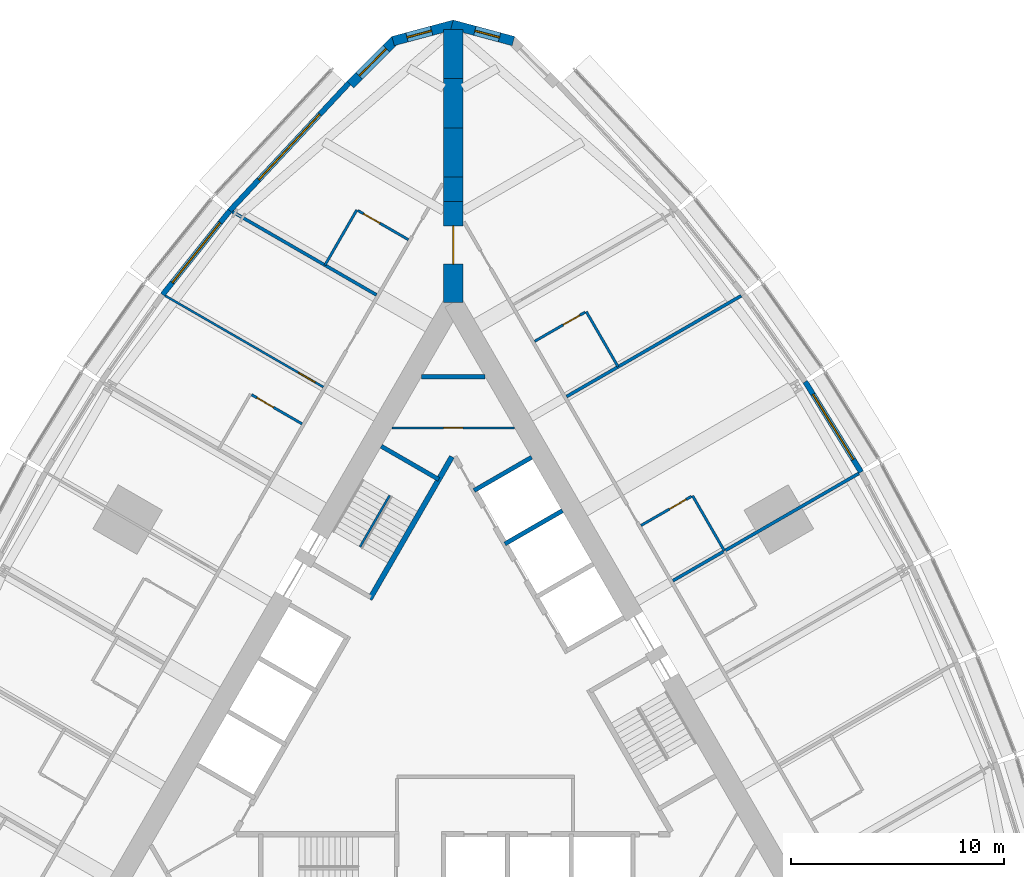
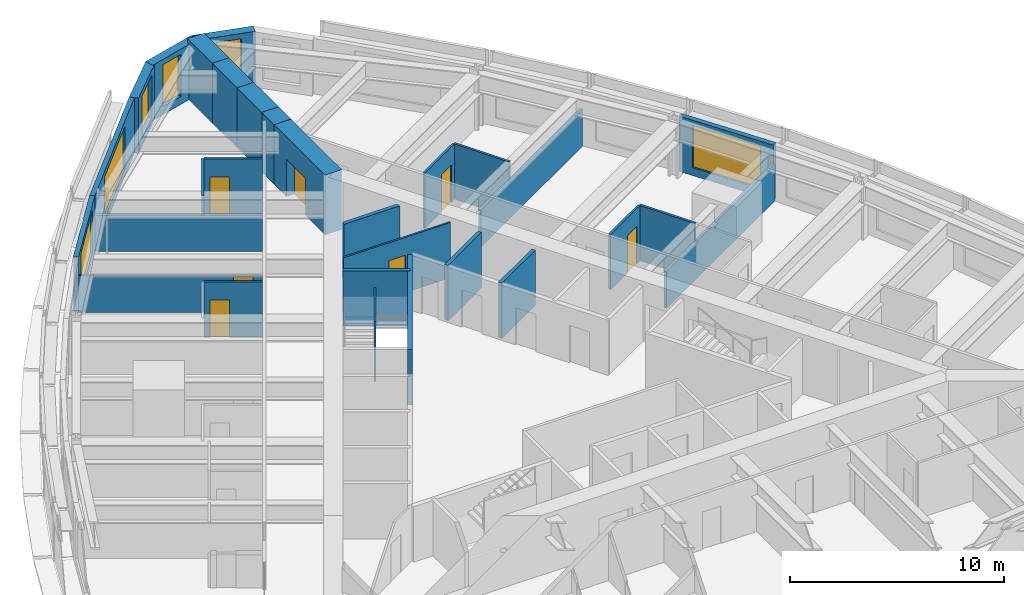
# One storey, part 12 of 14: 29 walls, 7 doors, 6 windows, 13 openings.
"""IFC4 building model written with IfcOpenShell, lengths in metres."""

from ifc_helpers import new_model, si_unit, direction, frame, frame_2d, origin, place, context, subcontext, project, spatial, polyline, rectangle, outline, extrude, material, layer, layer_set, type_object, element, fill, save


model = new_model("IFC4")

# Units and contexts
model_context = context("Model", 3, precision=1e-05, world=origin(), true_north=direction((0.0, 1.0)))
body_context = subcontext(model_context, "Body", "Model", "MODEL_VIEW")
ifc_project = project(units=[si_unit("LENGTHUNIT", "METRE"), si_unit("AREAUNIT", "SQUARE_METRE"), si_unit("VOLUMEUNIT", "CUBIC_METRE"), si_unit("PLANEANGLEUNIT", "RADIAN"), si_unit("MASSUNIT", "GRAM", prefix="KILO")], contexts=[model_context])

# Site, building, storey
site_placement = place(None, origin())
site = spatial("IfcSite", under=ifc_project, at=site_placement, CompositionType="ELEMENT")
building_placement = place(site_placement, origin())
building = spatial("IfcBuilding", under=site, at=building_placement, Name="Trikona Tower", CompositionType="ELEMENT")
storey_placement = place(building_placement, frame((0.0, 0.0, 99.89990234375)))
storey = spatial("IfcBuildingStorey", under=building, at=storey_placement, Name="L26", CompositionType="ELEMENT", Elevation=99.89990234375)

# Wall
ifc_material_1 = material(Name="Metal stud and cement board", Category="gypsum")
ifc_layer_1 = layer(ifc_material_1, 0.1201171875)
ifc_layer_set_1 = layer_set([ifc_layer_1], Name="Bathroom wall 120")
wall_type_1 = type_object("IfcWallType", Name="Bathroom wall 120", PredefinedType="PLUMBINGWALL", material=ifc_layer_set_1)
wall_1_placement = place(storey_placement, frame((12.75341796875, 7.363037109375, 0.0), z_axis=(0.0, 0.0, 1.0), x_axis=(-0.499990139034, 0.866031096941, 0.0)))
element("IfcWall", 1, at=wall_1_placement, inside=storey, type_object=wall_type_1, Name="Bathroom wall 2607", PredefinedType="PLUMBINGWALL", context=body_context, shape_type="SweptSolid", body=[
    extrude(rectangle(XDim=3.0, YDim=0.1201171875, at=frame_2d((1.5, 0.0))), origin(), (0.0, 0.0, 1.0), 3.150146484375),
])

# Wall, opening, door
wall_2_placement = place(storey_placement, frame((8.82861328125, 8.561279296875, 0.0), z_axis=(0.0, 0.0, 1.0), x_axis=(0.866035715982, 0.499982138324, 0.0)))
wall_2 = element("IfcWall", 2, at=wall_2_placement, inside=storey, type_object=wall_type_1, Name="Bathroom wall 2607", PredefinedType="PLUMBINGWALL", context=body_context, shape_type="SweptSolid", body=[
    extrude(rectangle(XDim=2.73974609375, YDim=0.1201171875, at=frame_2d((1.369873046875, 0.0))), origin(), (0.0, 0.0, 1.0), 3.150146484375),
])
opening_1_placement = place(wall_2_placement, frame((1.550048828125, 0.0, 0.0)))
opening_1 = element("IfcOpeningElement", 3, at=opening_1_placement, cuts=wall_2, Name="Opening D2", PredefinedType="OPENING", context=body_context, shape_type="SweptSolid", body=[
    extrude(rectangle(XDim=0.89990234375, YDim=2.1298828125, at=frame_2d((0.449951171875, 1.06494140625))), frame((0.0, 0.070068359375, 0.0), z_axis=(0.0, -1.0, 0.0), x_axis=(1.0, 0.0, 0.0)), (0.0, 0.0, 1.0), 0.14013671875),
])
ifc_material_2 = material(Name="Steel door frame with solid-core timber leaf", Category="steel")
door_type_1 = type_object("IfcDoorType", Name="Bathroom door 900x2130", OperationType="SLIDING_TO_LEFT", PredefinedType="DOOR", material=ifc_material_2)
door_1_placement = place(opening_1_placement, origin())
door_1 = element("IfcDoor", 4, at=door_1_placement, inside=storey, type_object=door_type_1, Name="Bathroom door 2607", OperationType="SLIDING_TO_LEFT", OverallHeight=2.1298828125, OverallWidth=0.89990234375, PredefinedType="DOOR", context=body_context, shape_type="SweptSolid", body=[
    extrude(rectangle(XDim=0.89990234375, YDim=2.1298828125, at=frame_2d((0.449951171875, 1.06494140625))), frame((0.0, 0.02490234375, 0.0), z_axis=(0.0, -1.0, 0.0), x_axis=(1.0, 0.0, 0.0)), (0.0, 0.0, 1.0), 0.050048828125),
])
fill(opening_1, door_1)

# Wall
wall_3_placement = place(storey_placement, frame((7.75341796875, 16.0234375, 0.0), z_axis=(0.0, 0.0, 1.0), x_axis=(-0.499990139034, 0.866031096941, 0.0)))
element("IfcWall", 5, at=wall_3_placement, inside=storey, type_object=wall_type_1, Name="Bathroom wall 2608.1", PredefinedType="PLUMBINGWALL", context=body_context, shape_type="SweptSolid", body=[
    extrude(rectangle(XDim=3.0, YDim=0.1201171875, at=frame_2d((1.5, 0.0))), origin(), (0.0, 0.0, 1.0), 3.150146484375),
])

# Wall, opening, door
wall_4_placement = place(storey_placement, frame((3.82861328125, 17.221435546875, 0.0), z_axis=(0.0, 0.0, 1.0), x_axis=(0.865997131366, 0.500048966069, 0.0)))
wall_4 = element("IfcWall", 6, at=wall_4_placement, inside=storey, type_object=wall_type_1, Name="Bathroom wall 2608.1", PredefinedType="PLUMBINGWALL", context=body_context, shape_type="SweptSolid", body=[
    extrude(rectangle(XDim=2.739990234375, YDim=0.1201171875, at=frame_2d((1.3701171875, 0.0))), origin(), (0.0, 0.0, 1.0), 3.150146484375),
])
opening_2_placement = place(wall_4_placement, frame((1.550048828125, 0.0, 0.0)))
opening_2 = element("IfcOpeningElement", 7, at=opening_2_placement, cuts=wall_4, Name="Opening D2", PredefinedType="OPENING", context=body_context, shape_type="SweptSolid", body=[
    extrude(rectangle(XDim=0.89990234375, YDim=2.1298828125, at=frame_2d((0.449951171875, 1.06494140625))), frame((0.0, 0.070068359375, 0.0), z_axis=(0.0, -1.0, 0.0), x_axis=(1.0, 0.0, 0.0)), (0.0, 0.0, 1.0), 0.14013671875),
])
door_2_placement = place(opening_2_placement, origin())
door_2 = element("IfcDoor", 8, at=door_2_placement, inside=storey, type_object=door_type_1, Name="Bathroom door 2608.1", OperationType="SLIDING_TO_LEFT", OverallHeight=2.1298828125, OverallWidth=0.89990234375, PredefinedType="DOOR", context=body_context, shape_type="SweptSolid", body=[
    extrude(rectangle(XDim=0.89990234375, YDim=2.1298828125, at=frame_2d((0.449951171875, 1.06494140625))), frame((0.0, 0.02490234375, 0.0), z_axis=(0.0, -1.0, 0.0), x_axis=(1.0, 0.0, 0.0)), (0.0, 0.0, 1.0), 0.050048828125),
])
fill(opening_2, door_2)

# Wall
wall_5_placement = place(storey_placement, frame((-4.53271484375, 23.401611328125, 0.0), z_axis=(0.0, 0.0, 1.0), x_axis=(-0.499990139034, -0.866031096941, 0.0)))
element("IfcWall", 9, at=wall_5_placement, inside=storey, type_object=wall_type_1, Name="Bathroom wall 2609", PredefinedType="PLUMBINGWALL", context=body_context, shape_type="SweptSolid", body=[
    extrude(rectangle(XDim=3.0, YDim=0.1201171875, at=frame_2d((1.5, 0.0))), origin(), (0.0, 0.0, 1.0), 3.150146484375),
])

# Wall, opening, door
wall_6_placement = place(storey_placement, frame((-2.10791015625, 22.001708984375, 0.0), z_axis=(0.0, 0.0, 1.0), x_axis=(-0.866035715982, 0.499982138324, 0.0)))
wall_6 = element("IfcWall", 10, at=wall_6_placement, inside=storey, type_object=wall_type_1, Name="Bathroom wall 2609", PredefinedType="PLUMBINGWALL", context=body_context, shape_type="SweptSolid", body=[
    extrude(rectangle(XDim=2.73974609375, YDim=0.1201171875, at=frame_2d((1.369873046875, 0.0))), origin(), (0.0, 0.0, 1.0), 3.150146484375),
])
opening_3_placement = place(wall_6_placement, frame((1.550048828125, 0.0, 0.0)))
opening_3 = element("IfcOpeningElement", 11, at=opening_3_placement, cuts=wall_6, Name="Opening D2", PredefinedType="OPENING", context=body_context, shape_type="SweptSolid", body=[
    extrude(rectangle(XDim=0.89990234375, YDim=2.1298828125, at=frame_2d((0.449951171875, 1.06494140625))), frame((0.0, 0.070068359375, 0.0), z_axis=(0.0, -1.0, 0.0), x_axis=(1.0, 0.0, 0.0)), (0.0, 0.0, 1.0), 0.14013671875),
])
door_3_placement = place(opening_3_placement, origin())
door_3 = element("IfcDoor", 12, at=door_3_placement, inside=storey, type_object=door_type_1, Name="Bathroom door 2609", OperationType="SLIDING_TO_LEFT", OverallHeight=2.1298828125, OverallWidth=0.89990234375, PredefinedType="DOOR", context=body_context, shape_type="SweptSolid", body=[
    extrude(rectangle(XDim=0.89990234375, YDim=2.1298828125, at=frame_2d((0.449951171875, 1.06494140625))), frame((0.0, 0.02490234375, 0.0), z_axis=(0.0, -1.0, 0.0), x_axis=(1.0, 0.0, 0.0)), (0.0, 0.0, 1.0), 0.050048828125),
])
fill(opening_3, door_3)

wall_7_placement = place(storey_placement, frame((-7.10791015625, 13.34130859375, 0.0), z_axis=(0.0, 0.0, 1.0), x_axis=(-0.866035715982, 0.499982138324, 0.0)))
wall_7 = element("IfcWall", 13, at=wall_7_placement, inside=storey, type_object=wall_type_1, Name="Bathroom wall 2610.1", PredefinedType="PLUMBINGWALL", context=body_context, shape_type="SweptSolid", body=[
    extrude(rectangle(XDim=2.73974609375, YDim=0.1201171875, at=frame_2d((1.369873046875, 0.0))), origin(), (0.0, 0.0, 1.0), 3.150146484375),
])
opening_4_placement = place(wall_7_placement, frame((1.550048828125, 0.0, 0.0)))
opening_4 = element("IfcOpeningElement", 14, at=opening_4_placement, cuts=wall_7, Name="Opening D2", PredefinedType="OPENING", context=body_context, shape_type="SweptSolid", body=[
    extrude(rectangle(XDim=0.89990234375, YDim=2.1298828125, at=frame_2d((0.449951171875, 1.06494140625))), frame((0.0, 0.070068359375, 0.0), z_axis=(0.0, -1.0, 0.0), x_axis=(1.0, 0.0, 0.0)), (0.0, 0.0, 1.0), 0.14013671875),
])
door_4_placement = place(opening_4_placement, origin())
door_4 = element("IfcDoor", 15, at=door_4_placement, inside=storey, type_object=door_type_1, Name="Bathroom door 2610.1", OperationType="SLIDING_TO_LEFT", OverallHeight=2.1298828125, OverallWidth=0.89990234375, PredefinedType="DOOR", context=body_context, shape_type="SweptSolid", body=[
    extrude(rectangle(XDim=0.89990234375, YDim=2.1298828125, at=frame_2d((0.449951171875, 1.06494140625))), frame((0.0, 0.02490234375, 0.0), z_axis=(0.0, -1.0, 0.0), x_axis=(1.0, 0.0, 0.0)), (0.0, 0.0, 1.0), 0.050048828125),
])
fill(opening_4, door_4)

# Wall, opening, window
ifc_material_3 = material(Name="Brick-faced precast concrete", Category="masonry")
ifc_layer_2 = layer(ifc_material_3, 0.449951171875)
ifc_layer_set_2 = layer_set([ifc_layer_2], Name="Brick-faced corner wall 450")
wall_type_2 = type_object("IfcWallType", Name="Brick-faced corner wall 450", PredefinedType="SOLIDWALL", material=ifc_layer_set_2)
wall_8_placement = place(storey_placement, frame((2.82861328125, 31.3408203125, 0.0), z_axis=(0.0, 0.0, 1.0), x_axis=(-0.965930548995, 0.258801419081, 0.0)))
wall_8 = element("IfcWall", 16, at=wall_8_placement, inside=storey, type_object=wall_type_2, Name="External wall L26-21", PredefinedType="SOLIDWALL", context=body_context, shape_type="SweptSolid", body=[
    extrude(outline(polyline([(2.988525390625, 0.22509765625), (2.92919921875, 0.22509765625), (2.4375, 0.09326171875), (2.40234375, 0.22509765625), (0.0, 0.22509765625), (0.0, -0.22509765625), (2.988525390625, -0.22509765625), (2.988525390625, 0.22509765625)])), origin(), (0.0, 0.0, 1.0), 3.150146484375),
])
opening_5_placement = place(wall_8_placement, frame((0.676025390625, 0.0, 0.449951171875)))
opening_5 = element("IfcOpeningElement", 17, at=opening_5_placement, cuts=wall_8, Name="Opening W1224", PredefinedType="OPENING", context=body_context, shape_type="SweptSolid", body=[
    extrude(rectangle(XDim=1.199951171875, YDim=2.39990234375, at=frame_2d((0.60009765625, 1.199951171875))), frame((0.0, 0.23486328125, 0.0), z_axis=(0.0, -1.0, 0.0), x_axis=(1.0, 0.0, 0.0)), (0.0, 0.0, 1.0), 0.469970703125),
])
ifc_material_4 = material(Name="Aluminium-framed double glazing", Category="aluminium")
window_type_1 = type_object("IfcWindowType", Name="Window 1200x2400", PartitioningType="SINGLE_PANEL", PredefinedType="WINDOW", material=ifc_material_4)
window_1_placement = place(opening_5_placement, origin())
window_1 = element("IfcWindow", 18, at=window_1_placement, inside=storey, type_object=window_type_1, Name="Window 2608", OverallHeight=2.39990234375, OverallWidth=1.199951171875, PartitioningType="SINGLE_PANEL", PredefinedType="WINDOW", context=body_context, shape_type="SweptSolid", body=[
    extrude(rectangle(XDim=1.199951171875, YDim=2.39990234375, at=frame_2d((0.60009765625, 1.199951171875))), frame((0.0, 0.030029296875, 0.0), z_axis=(0.0, -1.0, 0.0), x_axis=(1.0, 0.0, 0.0)), (0.0, 0.0, 1.0), 0.06005859375),
])
fill(opening_5, window_1)

wall_9_placement = place(storey_placement, frame((0.05810546875, 32.1142578125, 0.0), z_axis=(0.0, 0.0, 1.0), x_axis=(-0.965930548995, -0.258801419081, 0.0)))
wall_9 = element("IfcWall", 19, at=wall_9_placement, inside=storey, type_object=wall_type_2, Name="External wall L26-22", PredefinedType="SOLIDWALL", context=body_context, shape_type="SweptSolid", body=[
    extrude(outline(polyline([(2.988525390625, 0.22509765625), (0.58642578125, 0.22509765625), (0.551025390625, 0.09326171875), (0.059326171875, 0.22509765625), (0.0, 0.22509765625), (0.0, -0.22509765625), (2.988525390625, -0.22509765625), (2.988525390625, 0.22509765625)])), origin(), (0.0, 0.0, 1.0), 3.150146484375),
])
opening_6_placement = place(wall_9_placement, frame((1.112548828125, 0.0, 0.449951171875)))
opening_6 = element("IfcOpeningElement", 20, at=opening_6_placement, cuts=wall_9, Name="Opening W1224", PredefinedType="OPENING", context=body_context, shape_type="SweptSolid", body=[
    extrude(rectangle(XDim=1.199951171875, YDim=2.39990234375, at=frame_2d((0.60009765625, 1.199951171875))), frame((0.0, 0.23486328125, 0.0), z_axis=(0.0, -1.0, 0.0), x_axis=(1.0, 0.0, 0.0)), (0.0, 0.0, 1.0), 0.469970703125),
])
window_2_placement = place(opening_6_placement, origin())
window_2 = element("IfcWindow", 21, at=window_2_placement, inside=storey, type_object=window_type_1, Name="Window 2609", OverallHeight=2.39990234375, OverallWidth=1.199951171875, PartitioningType="SINGLE_PANEL", PredefinedType="WINDOW", context=body_context, shape_type="SweptSolid", body=[
    extrude(rectangle(XDim=1.199951171875, YDim=2.39990234375, at=frame_2d((0.60009765625, 1.199951171875))), frame((0.0, 0.030029296875, 0.0), z_axis=(0.0, -1.0, 0.0), x_axis=(1.0, 0.0, 0.0)), (0.0, 0.0, 1.0), 0.06005859375),
])
fill(opening_6, window_2)

wall_10_placement = place(storey_placement, frame((-2.727783203125, 31.39892578125, 0.0), z_axis=(0.0, 0.0, 1.0), x_axis=(-0.707106781187, -0.707106781187, 0.0)))
wall_10 = element("IfcWall", 22, at=wall_10_placement, inside=storey, type_object=wall_type_2, Name="External wall L26-23", PredefinedType="SOLIDWALL", context=body_context, shape_type="SweptSolid", body=[
    extrude(rectangle(XDim=2.98828125, YDim=0.449951171875, at=frame_2d((1.494140625, 0.0))), origin(), (0.0, 0.0, 1.0), 3.150146484375),
])
opening_7_placement = place(wall_10_placement, frame((0.59423828125, 0.0, 0.449951171875)))
opening_7 = element("IfcOpeningElement", 23, at=opening_7_placement, cuts=wall_10, Name="Opening W1824", PredefinedType="OPENING", context=body_context, shape_type="SweptSolid", body=[
    extrude(rectangle(XDim=1.800048828125, YDim=2.39990234375, at=frame_2d((0.89990234375, 1.199951171875))), frame((0.0, 0.23486328125, 0.0), z_axis=(0.0, -1.0, 0.0), x_axis=(1.0, 0.0, 0.0)), (0.0, 0.0, 1.0), 0.469970703125),
])
ifc_material_5 = material(Name="Aluminium-framed double glazing", Category="aluminium")
window_type_2 = type_object("IfcWindowType", Name="Window 1800x2400", PartitioningType="SINGLE_PANEL", PredefinedType="WINDOW", material=ifc_material_5)
window_3_placement = place(opening_7_placement, origin())
window_3 = element("IfcWindow", 24, at=window_3_placement, inside=storey, type_object=window_type_2, Name="Window 2609", OverallHeight=2.39990234375, OverallWidth=1.800048828125, PartitioningType="SINGLE_PANEL", PredefinedType="WINDOW", context=body_context, shape_type="SweptSolid", body=[
    extrude(rectangle(XDim=1.800048828125, YDim=2.39990234375, at=frame_2d((0.89990234375, 1.199951171875))), frame((0.0, 0.030029296875, 0.0), z_axis=(0.0, -1.0, 0.0), x_axis=(1.0, 0.0, 0.0)), (0.0, 0.0, 1.0), 0.06005859375),
])
fill(opening_7, window_3)

# Wall, opening, door
ifc_material_6 = material(Name="Concrete f'c 10000 psi", Category="concrete")
ifc_layer_3 = layer(ifc_material_6, 0.89990234375)
ifc_layer_set_3 = layer_set([ifc_layer_3], Name="Buttress wall 900")
wall_type_3 = type_object("IfcWallType", Name="Buttress wall 900", PredefinedType="SHEAR", material=ifc_layer_set_3)
wall_11_placement = place(storey_placement, frame((0.0, 19.052490234375, 0.0), z_axis=(0.0, 0.0, 1.0), x_axis=(0.0, 1.0, 0.0)))
wall_11 = element("IfcWall", 25, at=wall_11_placement, inside=storey, type_object=wall_type_3, Name="Buttress wall 2", PredefinedType="SHEAR", context=body_context, shape_type="SweptSolid", body=[
    extrude(rectangle(XDim=4.74609375, YDim=0.89990234375, at=frame_2d((2.373046875, 0.0))), origin(), (0.0, 0.0, 1.0), 3.400146484375),
])
opening_8_placement = place(wall_11_placement, frame((1.800048828125, 0.0, 0.0)))
opening_8 = element("IfcOpeningElement", 26, at=opening_8_placement, cuts=wall_11, Name="Opening D10", PredefinedType="OPENING", context=body_context, shape_type="SweptSolid", body=[
    extrude(rectangle(XDim=1.800048828125, YDim=2.1298828125, at=frame_2d((0.89990234375, 1.06494140625))), frame((0.0, 0.4599609375, 0.0), z_axis=(0.0, -1.0, 0.0), x_axis=(1.0, 0.0, 0.0)), (0.0, 0.0, 1.0), 0.919921875),
])
ifc_material_7 = material(Name="Hollow metal door and frame", Category="steel")
door_type_2 = type_object("IfcDoorType", Name="Cross-corridor door pair 1800x2130", OperationType="DOUBLE_DOOR_DOUBLE_SWING", PredefinedType="DOOR", material=ifc_material_7)
door_5_placement = place(opening_8_placement, origin())
door_5 = element("IfcDoor", 27, at=door_5_placement, inside=storey, type_object=door_type_2, Name="Cross-corridor door 2", OperationType="DOUBLE_DOOR_DOUBLE_SWING", OverallHeight=2.1298828125, OverallWidth=1.800048828125, PredefinedType="DOOR", context=body_context, shape_type="SweptSolid", body=[
    extrude(rectangle(XDim=1.800048828125, YDim=2.1298828125, at=frame_2d((0.89990234375, 1.06494140625))), frame((0.0, 0.02490234375, 0.0), z_axis=(0.0, -1.0, 0.0), x_axis=(1.0, 0.0, 0.0)), (0.0, 0.0, 1.0), 0.050048828125),
])
fill(opening_8, door_5)

# Walls
wall_12_placement = place(storey_placement, frame((0.0, 23.798583984375, 0.0), z_axis=(0.0, 0.0, 1.0), x_axis=(0.0, 1.0, 0.0)))
element("IfcWall", 28, at=wall_12_placement, inside=storey, type_object=wall_type_3, Name="Buttress wall 2 part 2", PredefinedType="SHEAR", context=body_context, shape_type="SweptSolid", body=[
    extrude(rectangle(XDim=1.15478515625, YDim=0.89990234375, at=frame_2d((0.577392578125, 0.0))), origin(), (0.0, 0.0, 1.0), 3.400146484375),
])
wall_13_placement = place(storey_placement, frame((0.0, 24.953369140625, 0.0), z_axis=(0.0, 0.0, 1.0), x_axis=(0.0, 1.0, 0.0)))
element("IfcWall", 29, at=wall_13_placement, inside=storey, type_object=wall_type_3, Name="Buttress wall 2 part 3", PredefinedType="SHEAR", context=body_context, shape_type="SweptSolid", body=[
    extrude(rectangle(XDim=2.309326171875, YDim=0.89990234375, at=frame_2d((1.15478515625, 0.0))), origin(), (0.0, 0.0, 1.0), 3.400146484375),
])
wall_14_placement = place(storey_placement, frame((0.0, 27.2626953125, 0.0), z_axis=(0.0, 0.0, 1.0), x_axis=(0.0, 1.0, 0.0)))
element("IfcWall", 30, at=wall_14_placement, inside=storey, type_object=wall_type_3, Name="Buttress wall 2 part 4", PredefinedType="SHEAR", context=body_context, shape_type="SweptSolid", body=[
    extrude(rectangle(XDim=2.3095703125, YDim=0.89990234375, at=frame_2d((1.15478515625, 0.0))), origin(), (0.0, 0.0, 1.0), 3.400146484375),
])
wall_15_placement = place(storey_placement, frame((0.0, 29.572265625, 0.0), z_axis=(0.0, 0.0, 1.0), x_axis=(0.0, 1.0, 0.0)))
element("IfcWall", 31, at=wall_15_placement, inside=storey, type_object=wall_type_3, Name="Buttress wall 2 part 5", PredefinedType="SHEAR", context=body_context, shape_type="SweptSolid", body=[
    extrude(rectangle(XDim=2.309326171875, YDim=0.89990234375, at=frame_2d((1.15478515625, 0.0))), origin(), (0.0, 0.0, 1.0), 3.400146484375),
])
ifc_material_8 = material(Name="Concrete f'c 8000 psi", Category="concrete")
ifc_layer_4 = layer(ifc_material_8, 0.25)
ifc_layer_set_4 = layer_set([ifc_layer_4], Name="Hub wall 250")
wall_type_4 = type_object("IfcWallType", Name="Hub wall 250", PredefinedType="SOLIDWALL", material=ifc_layer_set_4)
wall_16_placement = place(storey_placement, frame((-0.0625, 11.794189453125, 0.0), z_axis=(0.0, 0.0, 1.0), x_axis=(-0.500006680225, -0.86602154692, 0.0)))
element("IfcWall", 32, at=wall_16_placement, inside=storey, type_object=wall_type_4, Name="Lift lobby wall C1", PredefinedType="SOLIDWALL", context=body_context, shape_type="SweptSolid", body=[
    extrude(rectangle(XDim=7.73291015625, YDim=0.25, at=frame_2d((3.866455078125, 0.0))), origin(), (0.0, 0.0, 1.0), 3.150146484375),
])

# Wall, opening, window
ifc_material_9 = material(Name="Insulated precast concrete spandrel panel", Category="concrete")
ifc_layer_5 = layer(ifc_material_9, 0.25)
ifc_layer_set_5 = layer_set([ifc_layer_5], Name="Inner skin wall 250")
wall_type_5 = type_object("IfcWallType", Name="Inner skin wall 250", PredefinedType="STANDARD", material=ifc_layer_set_5)
wall_17_placement = place(storey_placement, frame((19.182373046875, 11.070556640625, 0.0), z_axis=(0.0, 0.0, 1.0), x_axis=(-0.526132807704, 0.850402415717, 0.0)))
wall_17 = element("IfcWall", 33, at=wall_17_placement, inside=storey, type_object=wall_type_5, Name="External wall L26-16", PredefinedType="STANDARD", context=body_context, shape_type="SweptSolid", body=[
    extrude(rectangle(XDim=5.002197265625, YDim=0.25, at=frame_2d((2.5009765625, 0.0))), origin(), (0.0, 0.0, 1.0), 3.150146484375),
])
opening_9_placement = place(wall_17_placement, frame((0.701171875, 0.0, 0.449951171875)))
opening_9 = element("IfcOpeningElement", 34, at=opening_9_placement, cuts=wall_17, Name="Opening W3624", PredefinedType="OPENING", context=body_context, shape_type="SweptSolid", body=[
    extrude(rectangle(XDim=3.60009765625, YDim=2.39990234375, at=frame_2d((1.800048828125, 1.199951171875))), frame((0.0, 0.135009765625, 0.0), z_axis=(0.0, -1.0, 0.0), x_axis=(1.0, 0.0, 0.0)), (0.0, 0.0, 1.0), 0.27001953125),
])
ifc_material_10 = material(Name="Aluminium-framed double glazing", Category="aluminium")
window_type_3 = type_object("IfcWindowType", Name="Window 3600x2400", PartitioningType="SINGLE_PANEL", PredefinedType="WINDOW", material=ifc_material_10)
window_4_placement = place(opening_9_placement, origin())
window_4 = element("IfcWindow", 35, at=window_4_placement, inside=storey, type_object=window_type_3, Name="Window 2607", OverallHeight=2.39990234375, OverallWidth=3.60009765625, PartitioningType="SINGLE_PANEL", PredefinedType="WINDOW", context=body_context, shape_type="SweptSolid", body=[
    extrude(rectangle(XDim=3.60009765625, YDim=2.39990234375, at=frame_2d((1.800048828125, 1.199951171875))), frame((0.0, 0.030029296875, 0.0), z_axis=(0.0, -1.0, 0.0), x_axis=(1.0, 0.0, 0.0)), (0.0, 0.0, 1.0), 0.06005859375),
])
fill(opening_9, window_4)

wall_18_placement = place(storey_placement, frame((-4.90869140625, 29.359619140625, 0.0), z_axis=(0.0, 0.0, 1.0), x_axis=(-0.682289646561, -0.731081964075, 0.0)))
wall_18 = element("IfcWall", 36, at=wall_18_placement, inside=storey, type_object=wall_type_5, Name="External wall L26-24", PredefinedType="STANDARD", context=body_context, shape_type="SweptSolid", body=[
    extrude(rectangle(XDim=8.2109375, YDim=0.25, at=frame_2d((4.10546875, 0.0))), origin(), (0.0, 0.0, 1.0), 3.150146484375),
])
opening_10_placement = place(wall_18_placement, frame((2.005615234375, 0.0, 0.449951171875)))
opening_10 = element("IfcOpeningElement", 37, at=opening_10_placement, cuts=wall_18, Name="Opening W4224", PredefinedType="OPENING", context=body_context, shape_type="SweptSolid", body=[
    extrude(rectangle(XDim=4.199951171875, YDim=2.39990234375, at=frame_2d((2.10009765625, 1.199951171875))), frame((0.0, 0.135009765625, 0.0), z_axis=(0.0, -1.0, 0.0), x_axis=(1.0, 0.0, 0.0)), (0.0, 0.0, 1.0), 0.27001953125),
])
ifc_material_11 = material(Name="Aluminium-framed double glazing", Category="aluminium")
window_type_4 = type_object("IfcWindowType", Name="Window 4200x2400", PartitioningType="SINGLE_PANEL", PredefinedType="WINDOW", material=ifc_material_11)
window_5_placement = place(opening_10_placement, origin())
window_5 = element("IfcWindow", 38, at=window_5_placement, inside=storey, type_object=window_type_4, Name="Window 2609", OverallHeight=2.39990234375, OverallWidth=4.199951171875, PartitioningType="SINGLE_PANEL", PredefinedType="WINDOW", context=body_context, shape_type="SweptSolid", body=[
    extrude(rectangle(XDim=4.199951171875, YDim=2.39990234375, at=frame_2d((2.10009765625, 1.199951171875))), frame((0.0, 0.030029296875, 0.0), z_axis=(0.0, -1.0, 0.0), x_axis=(1.0, 0.0, 0.0)), (0.0, 0.0, 1.0), 0.06005859375),
])
fill(opening_10, window_5)

wall_19_placement = place(storey_placement, frame((-10.5048828125, 23.36376953125, 0.0), z_axis=(0.0, 0.0, 1.0), x_axis=(-0.624594965756, -0.780948864364, 0.0)))
wall_19 = element("IfcWall", 39, at=wall_19_placement, inside=storey, type_object=wall_type_5, Name="External wall L26-25", PredefinedType="STANDARD", context=body_context, shape_type="SweptSolid", body=[
    extrude(rectangle(XDim=5.0576171875, YDim=0.25, at=frame_2d((2.52880859375, 0.0))), origin(), (0.0, 0.0, 1.0), 3.150146484375),
])
opening_11_placement = place(wall_19_placement, frame((0.728759765625, 0.0, 0.449951171875)))
opening_11 = element("IfcOpeningElement", 40, at=opening_11_placement, cuts=wall_19, Name="Opening W3624", PredefinedType="OPENING", context=body_context, shape_type="SweptSolid", body=[
    extrude(rectangle(XDim=3.60009765625, YDim=2.39990234375, at=frame_2d((1.800048828125, 1.199951171875))), frame((0.0, 0.135009765625, 0.0), z_axis=(0.0, -1.0, 0.0), x_axis=(1.0, 0.0, 0.0)), (0.0, 0.0, 1.0), 0.27001953125),
])
window_6_placement = place(opening_11_placement, origin())
window_6 = element("IfcWindow", 41, at=window_6_placement, inside=storey, type_object=window_type_3, Name="Window 2610", OverallHeight=2.39990234375, OverallWidth=3.60009765625, PartitioningType="SINGLE_PANEL", PredefinedType="WINDOW", context=body_context, shape_type="SweptSolid", body=[
    extrude(rectangle(XDim=3.60009765625, YDim=2.39990234375, at=frame_2d((1.800048828125, 1.199951171875))), frame((0.0, 0.030029296875, 0.0), z_axis=(0.0, -1.0, 0.0), x_axis=(1.0, 0.0, 0.0)), (0.0, 0.0, 1.0), 0.06005859375),
])
fill(opening_11, window_6)

# Walls
ifc_material_12 = material(Name="Metal stud and gypsum board, 1-hour acoustic", Category="gypsum")
ifc_layer_6 = layer(ifc_material_12, 0.14990234375)
ifc_layer_set_6 = layer_set([ifc_layer_6], Name="Party wall 150")
wall_type_6 = type_object("IfcWallType", Name="Party wall 150", PredefinedType="PARTITIONING", material=ifc_layer_set_6)
wall_20_placement = place(storey_placement, frame((10.32861328125, 5.963134765625, 0.0), z_axis=(0.0, 0.0, 1.0), x_axis=(0.866021688545, 0.500006434927, 0.0)))
element("IfcWall", 42, at=wall_20_placement, inside=storey, type_object=wall_type_6, Name="Partition L26 F2 u0", PredefinedType="PARTITIONING", context=body_context, shape_type="SweptSolid", body=[
    extrude(rectangle(XDim=10.095947265625, YDim=0.14990234375, at=frame_2d((5.0478515625, 0.0))), origin(), (0.0, 0.0, 1.0), 2.108642578125),
])
wall_21_placement = place(storey_placement, frame((5.32861328125, 14.623291015625, 0.0), z_axis=(0.0, 0.0, 1.0), x_axis=(0.866018409083, 0.500012114982, 0.0)))
element("IfcWall", 43, at=wall_21_placement, inside=storey, type_object=wall_type_6, Name="Partition L26 F2 u10", PredefinedType="PARTITIONING", context=body_context, shape_type="SweptSolid", body=[
    extrude(rectangle(XDim=9.484619140625, YDim=0.14990234375, at=frame_2d((4.7421875, 0.0))), origin(), (0.0, 0.0, 1.0), 2.108642578125),
])
wall_22_placement = place(storey_placement, frame((-3.60791015625, 19.403564453125, 0.0), z_axis=(0.0, 0.0, 1.0), x_axis=(-0.866021300503, 0.500007107024, 0.0)))
element("IfcWall", 44, at=wall_22_placement, inside=storey, type_object=wall_type_6, Name="Partition L26 F3 u-15", PredefinedType="PARTITIONING", context=body_context, shape_type="SweptSolid", body=[
    extrude(rectangle(XDim=7.8203125, YDim=0.14990234375, at=frame_2d((3.91015625, 0.0))), origin(), (0.0, 0.0, 1.0), 2.050048828125),
])
ifc_material_13 = material(Name="Concrete f'c 8000 psi", Category="concrete")
ifc_layer_7 = layer(ifc_material_13, 0.199951171875)
ifc_layer_set_7 = layer_set([ifc_layer_7], Name="Shaft wall 200")
wall_type_7 = type_object("IfcWallType", Name="Shaft wall 200", PredefinedType="SOLIDWALL", material=ifc_layer_set_7)
for number, where, z_axis, x_axis, name in (
    (45, (2.428955078125, 7.695556640625, 0.0), (0.0, 0.0, 1.0), (0.866022959057, 0.500004234368, 0.0), "Shaft wall B5"),
    (46, (0.97900390625, 10.20703125, 0.0), (0.0, 0.0, 1.0), (0.866022959057, 0.500004234368, 0.0), "Shaft wall B6"),
):
    element("IfcWall", number, at=place(storey_placement, frame(where, z_axis=z_axis, x_axis=x_axis)), inside=storey, type_object=wall_type_7, Name=name, PredefinedType="SOLIDWALL", context=body_context, shape_type="SweptSolid", body=[
        extrude(rectangle(XDim=3.125, YDim=0.199951171875, at=frame_2d((1.5625, 0.0))), origin(), (0.0, 0.0, 1.0), 3.150146484375),
    ])
wall_23_placement = place(storey_placement, frame((-1.501220703125, 15.552490234375, 0.0), z_axis=(0.0, 0.0, 1.0), x_axis=(1.0, 0.0, 0.0)))
element("IfcWall", 47, at=wall_23_placement, inside=storey, type_object=wall_type_7, Name="Riser wall L26-RS2", PredefinedType="SOLIDWALL", context=body_context, shape_type="SweptSolid", body=[
    extrude(rectangle(XDim=3.00244140625, YDim=0.199951171875, at=frame_2d((1.501220703125, 0.0))), origin(), (0.0, 0.0, 1.0), 3.150146484375),
])
ifc_material_14 = material(Name="Concrete f'c 8000 psi", Category="concrete")
ifc_layer_8 = layer(ifc_material_14, 0.199951171875)
ifc_layer_set_8 = layer_set([ifc_layer_8], Name="Shaft wall 200 load-bearing")
wall_type_8 = type_object("IfcWallType", Name="Shaft wall 200 load-bearing", PredefinedType="SOLIDWALL", material=ifc_layer_set_8)
wall_24_placement = place(storey_placement, frame((-0.678955078125, 10.7265625, 0.0), z_axis=(0.0, 0.0, 1.0), x_axis=(-0.866022959057, 0.500004234368, 0.0)))
element("IfcWall", 48, at=wall_24_placement, inside=storey, type_object=wall_type_8, Name="Shaft wall C1", PredefinedType="SOLIDWALL", context=body_context, shape_type="SweptSolid", body=[
    extrude(rectangle(XDim=3.125, YDim=0.199951171875, at=frame_2d((1.5625, 0.0))), origin(), (0.0, 0.0, 1.0), 3.150146484375),
])
ifc_material_15 = material(Name="Concrete f'c 5000 psi", Category="concrete")
ifc_layer_9 = layer(ifc_material_15, 0.10009765625)
ifc_layer_set_9 = layer_set([ifc_layer_9], Name="Stair spine wall 100")
wall_type_9 = type_object("IfcWallType", Name="Stair spine wall 100", PredefinedType="SOLIDWALL", material=ifc_layer_set_9)
wall_25_placement = place(storey_placement, frame((-2.98779296875, 9.9775390625, 0.0), z_axis=(0.0, 0.0, 1.0), x_axis=(-0.499992232847, -0.866029888106, 0.0)))
element("IfcWall", 49, at=wall_25_placement, inside=storey, type_object=wall_type_9, Name="Stair C spine wall L26", PredefinedType="SOLIDWALL", context=body_context, shape_type="SweptSolid", body=[
    extrude(rectangle(XDim=2.7939453125, YDim=0.10009765625, at=frame_2d((1.39697265625, 0.0))), origin(), (0.0, 0.0, 1.0), 3.400146484375),
])

# Wall, opening, door
ifc_material_16 = material(Name="Metal stud and gypsum board, acoustic", Category="gypsum")
ifc_layer_10 = layer(ifc_material_16, 0.10009765625)
ifc_layer_set_10 = layer_set([ifc_layer_10], Name="Suite partition 100")
wall_type_10 = type_object("IfcWallType", Name="Suite partition 100", PredefinedType="PARTITIONING", material=ifc_layer_set_10)
wall_26_placement = place(storey_placement, frame((-6.10791015625, 15.073486328125, 0.0), z_axis=(0.0, 0.0, 1.0), x_axis=(-0.866031196456, 0.499989966665, 0.0)))
wall_26 = element("IfcWall", 50, at=wall_26_placement, inside=storey, type_object=wall_type_10, Name="Suite partition L26 F3 u-10", PredefinedType="PARTITIONING", context=body_context, shape_type="SweptSolid", body=[
    extrude(rectangle(XDim=8.584716796875, YDim=0.10009765625, at=frame_2d((4.29248046875, 0.0))), origin(), (0.0, 0.0, 1.0), 2.108642578125),
])
opening_12_placement = place(wall_26_placement, frame((0.449951171875, 0.0, 0.0)))
opening_12 = element("IfcOpeningElement", 51, at=opening_12_placement, cuts=wall_26, Name="Opening D16", PredefinedType="OPENING", context=body_context, shape_type="SweptSolid", body=[
    extrude(rectangle(XDim=0.89990234375, YDim=2.031982421875, at=frame_2d((0.449951171875, 1.01611328125))), frame((0.0, 0.06005859375, 0.0), z_axis=(0.0, -1.0, 0.0), x_axis=(1.0, 0.0, 0.0)), (0.0, 0.0, 1.0), 0.1201171875),
])
ifc_material_17 = material(Name="Steel door frame with solid-core timber leaf", Category="steel")
door_type_3 = type_object("IfcDoorType", Name="Suite door 900x2032", OperationType="SINGLE_SWING_LEFT", PredefinedType="DOOR", material=ifc_material_17)
door_6_placement = place(opening_12_placement, origin())
door_6 = element("IfcDoor", 52, at=door_6_placement, inside=storey, type_object=door_type_3, Name="Suite door 2610", OperationType="SINGLE_SWING_LEFT", OverallHeight=2.031982421875, OverallWidth=0.89990234375, PredefinedType="DOOR", context=body_context, shape_type="SweptSolid", body=[
    extrude(rectangle(XDim=0.89990234375, YDim=2.031982421875, at=frame_2d((0.449951171875, 1.01611328125))), frame((0.0, 0.02490234375, 0.0), z_axis=(0.0, -1.0, 0.0), x_axis=(1.0, 0.0, 0.0)), (0.0, 0.0, 1.0), 0.050048828125),
])
fill(opening_12, door_6)

wall_27_placement = place(storey_placement, frame((-2.88671875, 13.152587890625, 0.0), z_axis=(0.0, 0.0, 1.0), x_axis=(1.0, 0.0, 0.0)))
wall_27 = element("IfcWall", 53, at=wall_27_placement, inside=storey, type_object=wall_type_10, Name="Store partition L26-RS2", PredefinedType="PARTITIONING", context=body_context, shape_type="SweptSolid", body=[
    extrude(rectangle(XDim=5.7734375, YDim=0.10009765625, at=frame_2d((2.88671875, 0.0))), origin(), (0.0, 0.0, 1.0), 3.150146484375),
])
opening_13_placement = place(wall_27_placement, frame((2.436767578125, 0.0, 0.0)))
opening_13 = element("IfcOpeningElement", 54, at=opening_13_placement, cuts=wall_27, Name="Opening D15", PredefinedType="OPENING", context=body_context, shape_type="SweptSolid", body=[
    extrude(rectangle(XDim=0.89990234375, YDim=2.1298828125, at=frame_2d((0.449951171875, 1.06494140625))), frame((0.0, 0.06005859375, 0.0), z_axis=(0.0, -1.0, 0.0), x_axis=(1.0, 0.0, 0.0)), (0.0, 0.0, 1.0), 0.1201171875),
])
ifc_material_18 = material(Name="Steel door frame with solid-core timber leaf", Category="steel")
door_type_4 = type_object("IfcDoorType", Name="Store door 900x2130", OperationType="SINGLE_SWING_LEFT", PredefinedType="DOOR", material=ifc_material_18)
door_7_placement = place(opening_13_placement, origin())
door_7 = element("IfcDoor", 55, at=door_7_placement, inside=storey, type_object=door_type_4, Name="Door Amenity store AMS", OperationType="SINGLE_SWING_RIGHT", OverallHeight=2.1298828125, OverallWidth=0.89990234375, PredefinedType="DOOR", context=body_context, shape_type="SweptSolid", body=[
    extrude(rectangle(XDim=0.89990234375, YDim=2.1298828125, at=frame_2d((0.449951171875, 1.06494140625))), frame((0.0, 0.02490234375, 0.0), z_axis=(0.0, -1.0, 0.0), x_axis=(1.0, 0.0, 0.0)), (0.0, 0.0, 1.0), 0.050048828125),
])
fill(opening_13, door_7)

save(model, "model.ifc")
